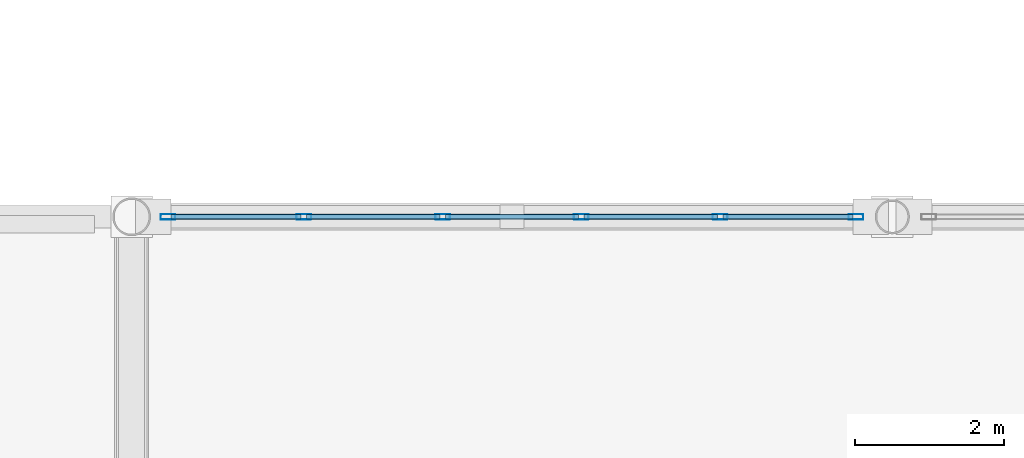
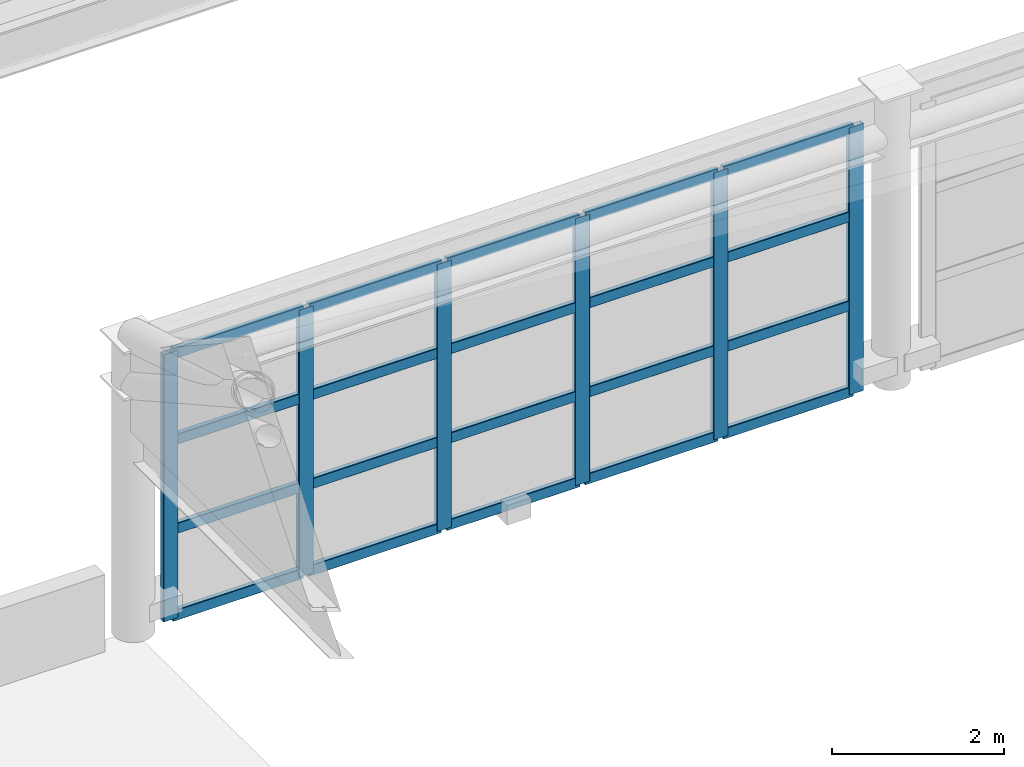
# One storey, part 69 of 135: 26 members, 1 element without a shape of its own.
"""IFC4 building model written with IfcOpenShell, lengths in metres."""

from ifc_helpers import new_model, si_unit, direction, frame, origin, origin_2d, place, context, subcontext, project, spatial, hollow_rectangle, extrude, material, material_profile, profile_set, type_object, element, aggregate, save


model = new_model("IFC4")

# Units and contexts
model_context = context("Model", 3, precision=1e-05, world=origin(), true_north=direction((0.0, 1.0)))
body_context = subcontext(model_context, "Body", "Model", "MODEL_VIEW")
ifc_project = project(units=[si_unit("LENGTHUNIT", "METRE"), si_unit("AREAUNIT", "SQUARE_METRE"), si_unit("VOLUMEUNIT", "CUBIC_METRE"), si_unit("PLANEANGLEUNIT", "RADIAN"), si_unit("MASSUNIT", "GRAM", prefix="KILO")], contexts=[model_context])

# Site, building, storey
site_placement = place(None, origin())
site = spatial("IfcSite", under=ifc_project, at=site_placement, CompositionType="ELEMENT")
building_placement = place(site_placement, origin())
building = spatial("IfcBuilding", under=site, at=building_placement, Name="Brelvane Convention Centre", CompositionType="ELEMENT")
storey_placement = place(building_placement, frame((0.0, 0.0, 15.0)))
storey = spatial("IfcBuildingStorey", under=building, at=storey_placement, Name="L03", CompositionType="ELEMENT", Elevation=15.0)

# Curtain wall, members
ifc_material_1 = material(Name="Anodised Aluminium Alloy 6063-T6", Category="aluminium")
curtain_wall_type = type_object("IfcCurtainWallType", Name="Curtain Wall CW-PLEN-E", PredefinedType="USERDEFINED", material=ifc_material_1)
curtain_wall_placement = place(storey_placement, origin())
curtain_wall = element("IfcCurtainWall", 1, at=curtain_wall_placement, inside=storey, type_object=curtain_wall_type, Name="Curtain Wall CW-PLEN-E L03-PLEN-N-CLER-1", ObjectType="UNITISED", PredefinedType="USERDEFINED")
ifc_material_2 = material(Name="Anodised Aluminium Alloy 6063-T6", Category="aluminium")
ifc_material_profile_1 = material_profile(ifc_material_2, hollow_rectangle(XDim=0.074951171875, YDim=0.199951171875, WallThickness=0.0048828125, InnerFilletRadius=0.0048828125, OuterFilletRadius=0.010009765625, at=origin_2d()), Name="ALU-M 200x75x5.0")
ifc_profile_set_1 = profile_set([ifc_material_profile_1], Name="Anodised Aluminium Alloy 6063-T6")
member_type_1 = type_object("IfcMemberType", Name="Curtain Mullion CW-M2", PredefinedType="MULLION", material=ifc_profile_set_1)
member_1_placement = place(storey_placement, frame((163.6875, 87.800048828125, 0.0), z_axis=(0.0, 0.0, 1.0), x_axis=(0.0, 1.0, 0.0)))
member_1 = element("IfcMember", 2, at=member_1_placement, type_object=member_type_1, Name="CW-PLEN-E mullion 1", PredefinedType="MULLION", context=body_context, shape_type="SweptSolid", body=[
    extrude(hollow_rectangle(XDim=0.074951171875, YDim=0.199951171875, WallThickness=0.0048828125, InnerFilletRadius=0.0048828125, OuterFilletRadius=0.010009765625, at=origin_2d()), origin(), (0.0, 0.0, 1.0), 3.800048828125),
])
member_2_placement = place(storey_placement, frame((165.510009765625, 87.800048828125, 0.0), z_axis=(0.0, 0.0, 1.0), x_axis=(0.0, 1.0, 0.0)))
member_2 = element("IfcMember", 3, at=member_2_placement, type_object=member_type_1, Name="CW-PLEN-E mullion 2", PredefinedType="MULLION", context=body_context, shape_type="SweptSolid", body=[
    extrude(hollow_rectangle(XDim=0.074951171875, YDim=0.199951171875, WallThickness=0.0048828125, InnerFilletRadius=0.0048828125, OuterFilletRadius=0.010009765625, at=origin_2d()), origin(), (0.0, 0.0, 1.0), 3.800048828125),
])
member_3_placement = place(storey_placement, frame((167.3701171875, 87.800048828125, 0.0), z_axis=(0.0, 0.0, 1.0), x_axis=(0.0, 1.0, 0.0)))
member_3 = element("IfcMember", 4, at=member_3_placement, type_object=member_type_1, Name="CW-PLEN-E mullion 3", PredefinedType="MULLION", context=body_context, shape_type="SweptSolid", body=[
    extrude(hollow_rectangle(XDim=0.074951171875, YDim=0.199951171875, WallThickness=0.0048828125, InnerFilletRadius=0.0048828125, OuterFilletRadius=0.010009765625, at=origin_2d()), origin(), (0.0, 0.0, 1.0), 3.800048828125),
])
member_4_placement = place(storey_placement, frame((169.22998046875, 87.800048828125, 0.0), z_axis=(0.0, 0.0, 1.0), x_axis=(0.0, 1.0, 0.0)))
member_4 = element("IfcMember", 5, at=member_4_placement, type_object=member_type_1, Name="CW-PLEN-E mullion 4", PredefinedType="MULLION", context=body_context, shape_type="SweptSolid", body=[
    extrude(hollow_rectangle(XDim=0.074951171875, YDim=0.199951171875, WallThickness=0.0048828125, InnerFilletRadius=0.0048828125, OuterFilletRadius=0.010009765625, at=origin_2d()), origin(), (0.0, 0.0, 1.0), 3.800048828125),
])
member_5_placement = place(storey_placement, frame((171.090087890625, 87.800048828125, 0.0), z_axis=(0.0, 0.0, 1.0), x_axis=(0.0, 1.0, 0.0)))
member_5 = element("IfcMember", 6, at=member_5_placement, type_object=member_type_1, Name="CW-PLEN-E mullion 5", PredefinedType="MULLION", context=body_context, shape_type="SweptSolid", body=[
    extrude(hollow_rectangle(XDim=0.074951171875, YDim=0.199951171875, WallThickness=0.0048828125, InnerFilletRadius=0.0048828125, OuterFilletRadius=0.010009765625, at=origin_2d()), origin(), (0.0, 0.0, 1.0), 3.800048828125),
])
member_6_placement = place(storey_placement, frame((172.91259765625, 87.800048828125, 0.0), z_axis=(0.0, 0.0, 1.0), x_axis=(0.0, 1.0, 0.0)))
member_6 = element("IfcMember", 7, at=member_6_placement, type_object=member_type_1, Name="CW-PLEN-E mullion 6", PredefinedType="MULLION", context=body_context, shape_type="SweptSolid", body=[
    extrude(hollow_rectangle(XDim=0.074951171875, YDim=0.199951171875, WallThickness=0.0048828125, InnerFilletRadius=0.0048828125, OuterFilletRadius=0.010009765625, at=origin_2d()), origin(), (0.0, 0.0, 1.0), 3.800048828125),
])
ifc_material_3 = material(Name="Anodised Aluminium Alloy 6063-T6", Category="aluminium")
ifc_material_profile_2 = material_profile(ifc_material_3, hollow_rectangle(XDim=0.070068359375, YDim=0.14990234375, WallThickness=0.00439453125, InnerFilletRadius=0.00439453125, OuterFilletRadius=0.009033203125, at=origin_2d()), Name="ALU-T 150x70x4.5")
ifc_profile_set_2 = profile_set([ifc_material_profile_2], Name="Anodised Aluminium Alloy 6063-T6")
member_type_2 = type_object("IfcMemberType", Name="Curtain Transom CW-T2", PredefinedType="USERDEFINED", material=ifc_profile_set_2)
member_7_placement = place(storey_placement, frame((163.72509765625, 87.800048828125, 0.034912109375), z_axis=(1.0, 0.0, 0.0), x_axis=(0.0, 1.0, 0.0)))
member_7 = element("IfcMember", 8, at=member_7_placement, type_object=member_type_2, Name="CW-PLEN-E transom 1.1", ObjectType="TRANSOM", PredefinedType="USERDEFINED", context=body_context, shape_type="SweptSolid", body=[
    extrude(hollow_rectangle(XDim=0.070068359375, YDim=0.14990234375, WallThickness=0.00439453125, InnerFilletRadius=0.00439453125, OuterFilletRadius=0.009033203125, at=origin_2d()), origin(), (0.0, 0.0, 1.0), 1.747314453125),
])
member_8_placement = place(storey_placement, frame((163.72509765625, 87.800048828125, 1.2666015625), z_axis=(1.0, 0.0, 0.0), x_axis=(0.0, 1.0, 0.0)))
member_8 = element("IfcMember", 9, at=member_8_placement, type_object=member_type_2, Name="CW-PLEN-E transom 1.2", ObjectType="TRANSOM", PredefinedType="USERDEFINED", context=body_context, shape_type="SweptSolid", body=[
    extrude(hollow_rectangle(XDim=0.070068359375, YDim=0.14990234375, WallThickness=0.00439453125, InnerFilletRadius=0.00439453125, OuterFilletRadius=0.009033203125, at=origin_2d()), origin(), (0.0, 0.0, 1.0), 1.747314453125),
])
member_9_placement = place(storey_placement, frame((163.72509765625, 87.800048828125, 2.533203125), z_axis=(1.0, 0.0, 0.0), x_axis=(0.0, 1.0, 0.0)))
member_9 = element("IfcMember", 10, at=member_9_placement, type_object=member_type_2, Name="CW-PLEN-E transom 1.3", ObjectType="TRANSOM", PredefinedType="USERDEFINED", context=body_context, shape_type="SweptSolid", body=[
    extrude(hollow_rectangle(XDim=0.070068359375, YDim=0.14990234375, WallThickness=0.00439453125, InnerFilletRadius=0.00439453125, OuterFilletRadius=0.009033203125, at=origin_2d()), origin(), (0.0, 0.0, 1.0), 1.747314453125),
])
member_10_placement = place(storey_placement, frame((163.72509765625, 87.800048828125, 3.764892578125), z_axis=(1.0, 0.0, 0.0), x_axis=(0.0, 1.0, 0.0)))
member_10 = element("IfcMember", 11, at=member_10_placement, type_object=member_type_2, Name="CW-PLEN-E transom 1.4", ObjectType="TRANSOM", PredefinedType="USERDEFINED", context=body_context, shape_type="SweptSolid", body=[
    extrude(hollow_rectangle(XDim=0.070068359375, YDim=0.14990234375, WallThickness=0.00439453125, InnerFilletRadius=0.00439453125, OuterFilletRadius=0.009033203125, at=origin_2d()), origin(), (0.0, 0.0, 1.0), 1.747314453125),
])
member_11_placement = place(storey_placement, frame((165.547607421875, 87.800048828125, 0.034912109375), z_axis=(1.0, 0.0, 0.0), x_axis=(0.0, 1.0, 0.0)))
member_11 = element("IfcMember", 12, at=member_11_placement, type_object=member_type_2, Name="CW-PLEN-E transom 2.1", ObjectType="TRANSOM", PredefinedType="USERDEFINED", context=body_context, shape_type="SweptSolid", body=[
    extrude(hollow_rectangle(XDim=0.070068359375, YDim=0.14990234375, WallThickness=0.00439453125, InnerFilletRadius=0.00439453125, OuterFilletRadius=0.009033203125, at=origin_2d()), origin(), (0.0, 0.0, 1.0), 1.784912109375),
])
member_12_placement = place(storey_placement, frame((165.547607421875, 87.800048828125, 1.2666015625), z_axis=(1.0, 0.0, 0.0), x_axis=(0.0, 1.0, 0.0)))
member_12 = element("IfcMember", 13, at=member_12_placement, type_object=member_type_2, Name="CW-PLEN-E transom 2.2", ObjectType="TRANSOM", PredefinedType="USERDEFINED", context=body_context, shape_type="SweptSolid", body=[
    extrude(hollow_rectangle(XDim=0.070068359375, YDim=0.14990234375, WallThickness=0.00439453125, InnerFilletRadius=0.00439453125, OuterFilletRadius=0.009033203125, at=origin_2d()), origin(), (0.0, 0.0, 1.0), 1.784912109375),
])
member_13_placement = place(storey_placement, frame((165.547607421875, 87.800048828125, 2.533203125), z_axis=(1.0, 0.0, 0.0), x_axis=(0.0, 1.0, 0.0)))
member_13 = element("IfcMember", 14, at=member_13_placement, type_object=member_type_2, Name="CW-PLEN-E transom 2.3", ObjectType="TRANSOM", PredefinedType="USERDEFINED", context=body_context, shape_type="SweptSolid", body=[
    extrude(hollow_rectangle(XDim=0.070068359375, YDim=0.14990234375, WallThickness=0.00439453125, InnerFilletRadius=0.00439453125, OuterFilletRadius=0.009033203125, at=origin_2d()), origin(), (0.0, 0.0, 1.0), 1.784912109375),
])
member_14_placement = place(storey_placement, frame((165.547607421875, 87.800048828125, 3.764892578125), z_axis=(1.0, 0.0, 0.0), x_axis=(0.0, 1.0, 0.0)))
member_14 = element("IfcMember", 15, at=member_14_placement, type_object=member_type_2, Name="CW-PLEN-E transom 2.4", ObjectType="TRANSOM", PredefinedType="USERDEFINED", context=body_context, shape_type="SweptSolid", body=[
    extrude(hollow_rectangle(XDim=0.070068359375, YDim=0.14990234375, WallThickness=0.00439453125, InnerFilletRadius=0.00439453125, OuterFilletRadius=0.009033203125, at=origin_2d()), origin(), (0.0, 0.0, 1.0), 1.784912109375),
])
member_15_placement = place(storey_placement, frame((167.407470703125, 87.800048828125, 0.034912109375), z_axis=(1.0, 0.0, 0.0), x_axis=(0.0, 1.0, 0.0)))
member_15 = element("IfcMember", 16, at=member_15_placement, type_object=member_type_2, Name="CW-PLEN-E transom 3.1", ObjectType="TRANSOM", PredefinedType="USERDEFINED", context=body_context, shape_type="SweptSolid", body=[
    extrude(hollow_rectangle(XDim=0.070068359375, YDim=0.14990234375, WallThickness=0.00439453125, InnerFilletRadius=0.00439453125, OuterFilletRadius=0.009033203125, at=origin_2d()), origin(), (0.0, 0.0, 1.0), 1.784912109375),
])
member_16_placement = place(storey_placement, frame((167.407470703125, 87.800048828125, 1.2666015625), z_axis=(1.0, 0.0, 0.0), x_axis=(0.0, 1.0, 0.0)))
member_16 = element("IfcMember", 17, at=member_16_placement, type_object=member_type_2, Name="CW-PLEN-E transom 3.2", ObjectType="TRANSOM", PredefinedType="USERDEFINED", context=body_context, shape_type="SweptSolid", body=[
    extrude(hollow_rectangle(XDim=0.070068359375, YDim=0.14990234375, WallThickness=0.00439453125, InnerFilletRadius=0.00439453125, OuterFilletRadius=0.009033203125, at=origin_2d()), origin(), (0.0, 0.0, 1.0), 1.784912109375),
])
member_17_placement = place(storey_placement, frame((167.407470703125, 87.800048828125, 2.533203125), z_axis=(1.0, 0.0, 0.0), x_axis=(0.0, 1.0, 0.0)))
member_17 = element("IfcMember", 18, at=member_17_placement, type_object=member_type_2, Name="CW-PLEN-E transom 3.3", ObjectType="TRANSOM", PredefinedType="USERDEFINED", context=body_context, shape_type="SweptSolid", body=[
    extrude(hollow_rectangle(XDim=0.070068359375, YDim=0.14990234375, WallThickness=0.00439453125, InnerFilletRadius=0.00439453125, OuterFilletRadius=0.009033203125, at=origin_2d()), origin(), (0.0, 0.0, 1.0), 1.784912109375),
])
member_18_placement = place(storey_placement, frame((167.407470703125, 87.800048828125, 3.764892578125), z_axis=(1.0, 0.0, 0.0), x_axis=(0.0, 1.0, 0.0)))
member_18 = element("IfcMember", 19, at=member_18_placement, type_object=member_type_2, Name="CW-PLEN-E transom 3.4", ObjectType="TRANSOM", PredefinedType="USERDEFINED", context=body_context, shape_type="SweptSolid", body=[
    extrude(hollow_rectangle(XDim=0.070068359375, YDim=0.14990234375, WallThickness=0.00439453125, InnerFilletRadius=0.00439453125, OuterFilletRadius=0.009033203125, at=origin_2d()), origin(), (0.0, 0.0, 1.0), 1.784912109375),
])
member_19_placement = place(storey_placement, frame((169.267578125, 87.800048828125, 0.034912109375), z_axis=(1.0, 0.0, 0.0), x_axis=(0.0, 1.0, 0.0)))
member_19 = element("IfcMember", 20, at=member_19_placement, type_object=member_type_2, Name="CW-PLEN-E transom 4.1", ObjectType="TRANSOM", PredefinedType="USERDEFINED", context=body_context, shape_type="SweptSolid", body=[
    extrude(hollow_rectangle(XDim=0.070068359375, YDim=0.14990234375, WallThickness=0.00439453125, InnerFilletRadius=0.00439453125, OuterFilletRadius=0.009033203125, at=origin_2d()), origin(), (0.0, 0.0, 1.0), 1.784912109375),
])
member_20_placement = place(storey_placement, frame((169.267578125, 87.800048828125, 1.2666015625), z_axis=(1.0, 0.0, 0.0), x_axis=(0.0, 1.0, 0.0)))
member_20 = element("IfcMember", 21, at=member_20_placement, type_object=member_type_2, Name="CW-PLEN-E transom 4.2", ObjectType="TRANSOM", PredefinedType="USERDEFINED", context=body_context, shape_type="SweptSolid", body=[
    extrude(hollow_rectangle(XDim=0.070068359375, YDim=0.14990234375, WallThickness=0.00439453125, InnerFilletRadius=0.00439453125, OuterFilletRadius=0.009033203125, at=origin_2d()), origin(), (0.0, 0.0, 1.0), 1.784912109375),
])
member_21_placement = place(storey_placement, frame((169.267578125, 87.800048828125, 2.533203125), z_axis=(1.0, 0.0, 0.0), x_axis=(0.0, 1.0, 0.0)))
member_21 = element("IfcMember", 22, at=member_21_placement, type_object=member_type_2, Name="CW-PLEN-E transom 4.3", ObjectType="TRANSOM", PredefinedType="USERDEFINED", context=body_context, shape_type="SweptSolid", body=[
    extrude(hollow_rectangle(XDim=0.070068359375, YDim=0.14990234375, WallThickness=0.00439453125, InnerFilletRadius=0.00439453125, OuterFilletRadius=0.009033203125, at=origin_2d()), origin(), (0.0, 0.0, 1.0), 1.784912109375),
])
member_22_placement = place(storey_placement, frame((169.267578125, 87.800048828125, 3.764892578125), z_axis=(1.0, 0.0, 0.0), x_axis=(0.0, 1.0, 0.0)))
member_22 = element("IfcMember", 23, at=member_22_placement, type_object=member_type_2, Name="CW-PLEN-E transom 4.4", ObjectType="TRANSOM", PredefinedType="USERDEFINED", context=body_context, shape_type="SweptSolid", body=[
    extrude(hollow_rectangle(XDim=0.070068359375, YDim=0.14990234375, WallThickness=0.00439453125, InnerFilletRadius=0.00439453125, OuterFilletRadius=0.009033203125, at=origin_2d()), origin(), (0.0, 0.0, 1.0), 1.784912109375),
])
member_23_placement = place(storey_placement, frame((171.12744140625, 87.800048828125, 0.034912109375), z_axis=(1.0, 0.0, 0.0), x_axis=(0.0, 1.0, 0.0)))
member_23 = element("IfcMember", 24, at=member_23_placement, type_object=member_type_2, Name="CW-PLEN-E transom 5.1", ObjectType="TRANSOM", PredefinedType="USERDEFINED", context=body_context, shape_type="SweptSolid", body=[
    extrude(hollow_rectangle(XDim=0.070068359375, YDim=0.14990234375, WallThickness=0.00439453125, InnerFilletRadius=0.00439453125, OuterFilletRadius=0.009033203125, at=origin_2d()), origin(), (0.0, 0.0, 1.0), 1.74755859375),
])
member_24_placement = place(storey_placement, frame((171.12744140625, 87.800048828125, 1.2666015625), z_axis=(1.0, 0.0, 0.0), x_axis=(0.0, 1.0, 0.0)))
member_24 = element("IfcMember", 25, at=member_24_placement, type_object=member_type_2, Name="CW-PLEN-E transom 5.2", ObjectType="TRANSOM", PredefinedType="USERDEFINED", context=body_context, shape_type="SweptSolid", body=[
    extrude(hollow_rectangle(XDim=0.070068359375, YDim=0.14990234375, WallThickness=0.00439453125, InnerFilletRadius=0.00439453125, OuterFilletRadius=0.009033203125, at=origin_2d()), origin(), (0.0, 0.0, 1.0), 1.74755859375),
])
member_25_placement = place(storey_placement, frame((171.12744140625, 87.800048828125, 2.533203125), z_axis=(1.0, 0.0, 0.0), x_axis=(0.0, 1.0, 0.0)))
member_25 = element("IfcMember", 26, at=member_25_placement, type_object=member_type_2, Name="CW-PLEN-E transom 5.3", ObjectType="TRANSOM", PredefinedType="USERDEFINED", context=body_context, shape_type="SweptSolid", body=[
    extrude(hollow_rectangle(XDim=0.070068359375, YDim=0.14990234375, WallThickness=0.00439453125, InnerFilletRadius=0.00439453125, OuterFilletRadius=0.009033203125, at=origin_2d()), origin(), (0.0, 0.0, 1.0), 1.74755859375),
])
member_26_placement = place(storey_placement, frame((171.12744140625, 87.800048828125, 3.764892578125), z_axis=(1.0, 0.0, 0.0), x_axis=(0.0, 1.0, 0.0)))
member_26 = element("IfcMember", 27, at=member_26_placement, type_object=member_type_2, Name="CW-PLEN-E transom 5.4", ObjectType="TRANSOM", PredefinedType="USERDEFINED", context=body_context, shape_type="SweptSolid", body=[
    extrude(hollow_rectangle(XDim=0.070068359375, YDim=0.14990234375, WallThickness=0.00439453125, InnerFilletRadius=0.00439453125, OuterFilletRadius=0.009033203125, at=origin_2d()), origin(), (0.0, 0.0, 1.0), 1.74755859375),
])
aggregate(curtain_wall, [member_1, member_2, member_3, member_4, member_5, member_6, member_7, member_8, member_9, member_10, member_11, member_12, member_13, member_14, member_15, member_16, member_17, member_18, member_19, member_20, member_21, member_22, member_23, member_24, member_25, member_26])

save(model, "model.ifc")
